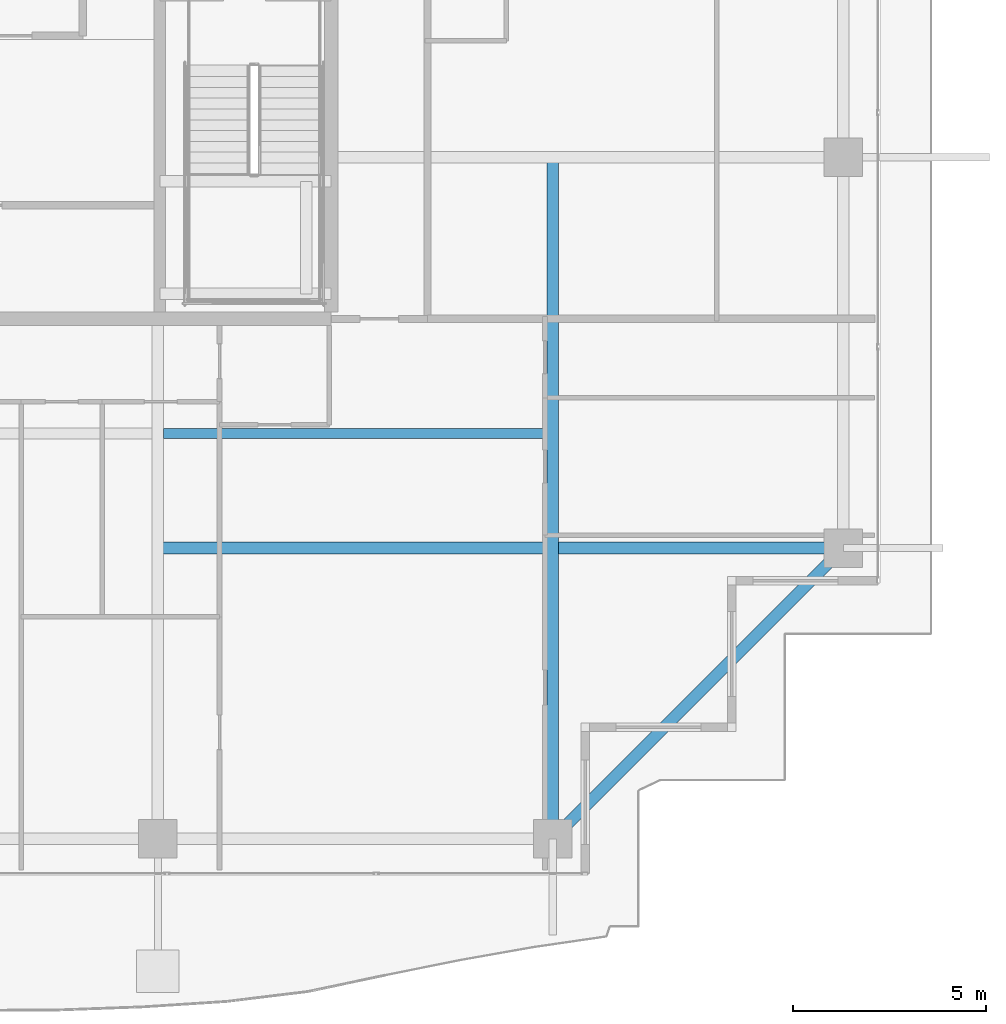
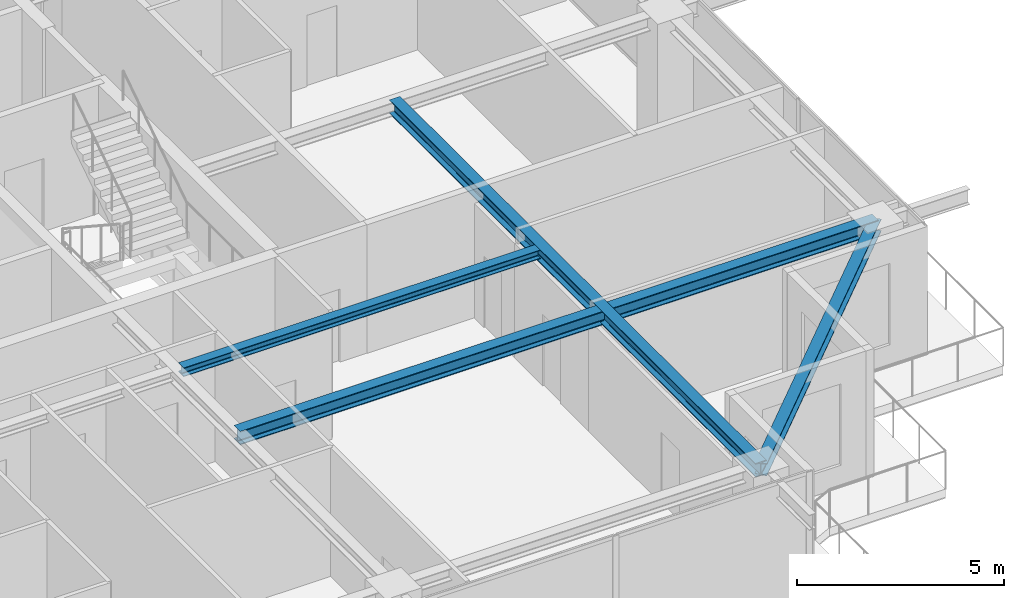
# One storey, part 11 of 37: 4 beams.
"""IFC4 building model written with IfcOpenShell, lengths in metres."""

from ifc_helpers import new_model, si_unit, direction, frame, origin, origin_2d, place, context, subcontext, project, spatial, i_section, extrude, source, transform, mapped, material, material_profile, profile_set, type_object, element, save


model = new_model("IFC4")

# Units and contexts
model_context = context("Model", 3, precision=1e-05, world=origin(), true_north=direction((0.0, 1.0)))
body_context = subcontext(model_context, "Body", "Model", "MODEL_VIEW")
ifc_project = project(units=[si_unit("LENGTHUNIT", "METRE"), si_unit("AREAUNIT", "SQUARE_METRE"), si_unit("VOLUMEUNIT", "CUBIC_METRE"), si_unit("PLANEANGLEUNIT", "RADIAN"), si_unit("MASSUNIT", "GRAM", prefix="KILO")], contexts=[model_context])

# Site, building, storey
site_placement = place(None, origin())
site = spatial("IfcSite", under=ifc_project, at=site_placement, CompositionType="ELEMENT")
building_placement = place(site_placement, origin())
building = spatial("IfcBuilding", under=site, at=building_placement, Name="Serunith Strait Residences", CompositionType="ELEMENT")
storey_placement = place(building_placement, frame((0.0, 0.0, 305.60009765625)))
storey = spatial("IfcBuildingStorey", under=building, at=storey_placement, Name="L76", CompositionType="ELEMENT", Elevation=305.60009765625)

# Beams
ifc_material = material(Name="Steel S355J2", Category="steel")
ifc_material_profile_1 = material_profile(ifc_material, i_section(OverallWidth=0.300048828125, OverallDepth=0.39990234375, WebThickness=0.013427734375, FlangeThickness=0.02392578125, FilletRadius=0.027099609375, at=origin_2d()), Name="HEB 400")
ifc_profile_set_1 = profile_set([ifc_material_profile_1], Name="Steel S355J2")
beam_type_1 = type_object("IfcBeamType", Name="BM-HEB400", PredefinedType="BEAM", material=ifc_profile_set_1)
shared_shape_1 = source(origin(), body_context, "Body", "SweptSolid", [
    extrude(i_section(OverallWidth=0.300048828125, OverallDepth=0.39990234375, WebThickness=0.013427734375, FlangeThickness=0.02392578125, FilletRadius=0.027099609375, at=origin_2d()), origin(), (0.0, 0.0, 1.0), 17.699951171875),
])
beam_1_placement = place(storey_placement, frame((47.14990234375, 21.0, 3.5869140625), z_axis=(0.0, -1.0, 0.0), x_axis=(1.0, 0.0, 0.0)))
element("IfcBeam", 1, at=beam_1_placement, inside=storey, type_object=beam_type_1, Name="L76 Orthogonal Corner Girder TC-S4", PredefinedType="BEAM", context=body_context, shape_type="MappedRepresentation", body=[
    mapped(shared_shape_1, transform((0.0, 0.0, 0.0), scale=1.0)),
])
shared_shape_2 = source(origin(), body_context, "Body", "SweptSolid", [
    extrude(i_section(OverallWidth=0.300048828125, OverallDepth=0.39990234375, WebThickness=0.013427734375, FlangeThickness=0.02392578125, FilletRadius=0.027099609375, at=origin_2d()), origin(), (0.0, 0.0, 1.0), 17.800048828125),
])
beam_2_placement = place(storey_placement, frame((36.89990234375, 10.85009765625, 3.5869140625), z_axis=(1.0, 0.0, 0.0), x_axis=(0.0, 1.0, 0.0)))
element("IfcBeam", 2, at=beam_2_placement, inside=storey, type_object=beam_type_1, Name="L76 Orthogonal Corner Girder TC-E1", PredefinedType="BEAM", context=body_context, shape_type="MappedRepresentation", body=[
    mapped(shared_shape_2, transform((0.0, 0.0, 0.0), scale=1.0)),
])
ifc_material_profile_2 = material_profile(ifc_material, i_section(OverallWidth=0.300048828125, OverallDepth=0.360107421875, WebThickness=0.012451171875, FlangeThickness=0.0224609375, FilletRadius=0.027099609375, at=origin_2d()), Name="HEB 360")
ifc_profile_set_2 = profile_set([ifc_material_profile_2], Name="Steel S355J2")
beam_type_2 = type_object("IfcBeamType", Name="BM-HEB360", PredefinedType="BEAM", material=ifc_profile_set_2)
shared_shape_3 = source(origin(), body_context, "Body", "SweptSolid", [
    extrude(i_section(OverallWidth=0.300048828125, OverallDepth=0.360107421875, WebThickness=0.012451171875, FlangeThickness=0.0224609375, FilletRadius=0.027099609375, at=origin_2d()), origin(), (0.0, 0.0, 1.0), 10.677490234375),
])
beam_3_placement = place(storey_placement, frame((47.14990234375, 3.300048828125, 3.576904296875), z_axis=(0.707106781187, 0.707106781187, 0.0), x_axis=(-0.707106781187, 0.707106781187, 0.0)))
element("IfcBeam", 3, at=beam_3_placement, inside=storey, type_object=beam_type_2, Name="L76 Perimeter Ring Beam 04", PredefinedType="BEAM", context=body_context, shape_type="MappedRepresentation", body=[
    mapped(shared_shape_3, transform((0.0, 0.0, 0.0), scale=1.0)),
])
ifc_material_profile_3 = material_profile(ifc_material, i_section(OverallWidth=0.260009765625, OverallDepth=0.260009765625, WebThickness=0.010009765625, FlangeThickness=0.017578125, FilletRadius=0.02392578125, at=origin_2d()), Name="HEB 260")
ifc_profile_set_3 = profile_set([ifc_material_profile_3], Name="Steel S355J2")
beam_type_3 = type_object("IfcBeamType", Name="BM-HEB260", PredefinedType="JOIST", material=ifc_profile_set_3)
shared_shape_4 = source(origin(), body_context, "Body", "SweptSolid", [
    extrude(i_section(OverallWidth=0.260009765625, OverallDepth=0.260009765625, WebThickness=0.010009765625, FlangeThickness=0.017578125, FilletRadius=0.02392578125, at=origin_2d()), origin(), (0.0, 0.0, 1.0), 9.949951171875),
])
beam_4_placement = place(storey_placement, frame((37.050048828125, 13.824951171875, 3.656982421875), z_axis=(1.0, 0.0, 0.0), x_axis=(0.0, 1.0, 0.0)))
element("IfcBeam", 4, at=beam_4_placement, inside=storey, type_object=beam_type_3, Name="L76 Composite Floor Joist 03", PredefinedType="JOIST", context=body_context, shape_type="MappedRepresentation", body=[
    mapped(shared_shape_4, transform((0.0, 0.0, 0.0), scale=1.0)),
])

save(model, "model.ifc")
